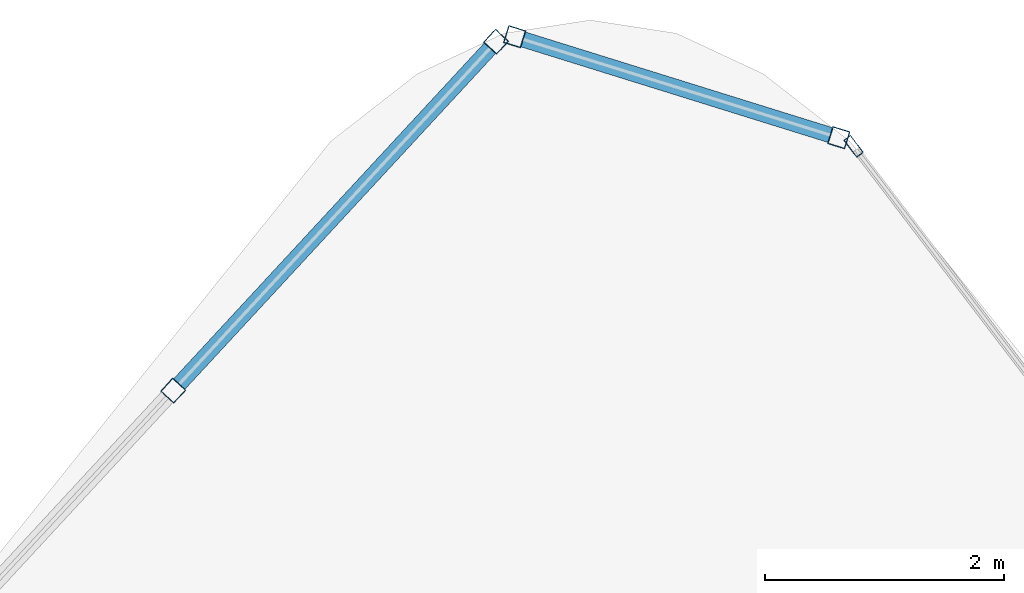
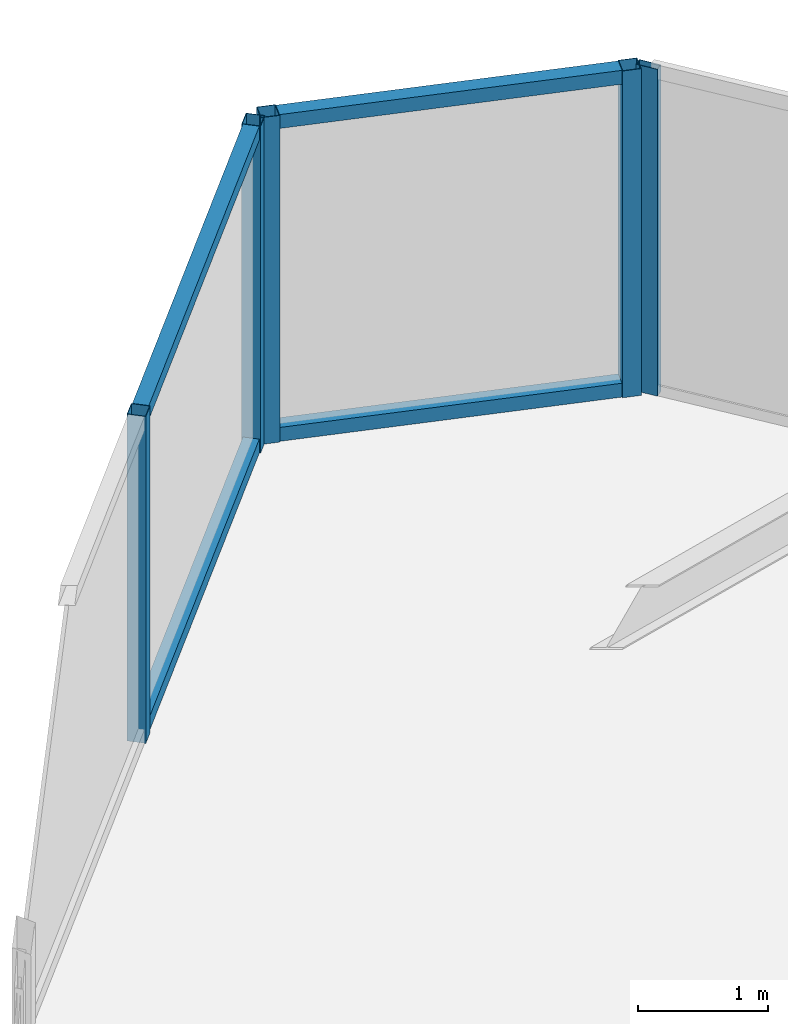
# One storey, part 25 of 35: 9 members, 3 elements without a shape of their own.
"""IFC4 building model written with IfcOpenShell, lengths in metres."""

import ifcopenshell
import ifcopenshell.guid

model = None  # the IFC model being written
_history = None  # IfcOwnerHistory: only IFC2X3 demands one
_inside = {}  # id of a spatial element -> (the spatial element, [elements in it])
_under = {}  # id of a project, library or spatial element -> (it, [spatial elements below it])
_declared = {}  # id of a project -> (the project, [libraries it declares])
_typed = {}  # id of a type object -> (the type object, [elements of that type])
_made_of = {}  # id of a material, layer set ... -> (it, [elements and type objects made of it])


def new_model(schema):
    """Start an empty IFC model of exactly this schema.

    Asked for "IFC4X3", IfcOpenShell would pick the latest addendum, in which some entities
    have other attributes; the version numbers below select the first issue.
    IFC2X3 requires an IfcOwnerHistory on every rooted entity: one is made here for all.
    """
    global model, _history
    if schema == "IFC4X3":
        model = ifcopenshell.file(schema_version=(4, 3, 0, 0))
    else:
        model = ifcopenshell.file(schema=schema)
    _inside.clear()
    _under.clear()
    _declared.clear()
    _typed.clear()
    _made_of.clear()
    _history = None
    if model.schema == "IFC2X3":
        org = make("IfcOrganization", Name="unknown")
        user = make(
            "IfcPersonAndOrganization",
            ThePerson=make("IfcPerson", FamilyName="unknown"),
            TheOrganization=org,
        )
        app = make(
            "IfcApplication",
            ApplicationDeveloper=org,
            Version="unknown",
            ApplicationFullName="unknown",
            ApplicationIdentifier="unknown",
        )
        _history = make(
            "IfcOwnerHistory",
            OwningUser=user,
            OwningApplication=app,
            ChangeAction="ADDED",
            CreationDate=0,
        )
    return model


def make(cls, **values):
    """One entity of the class cls with the attributes given. An attribute that is None is left unset."""
    return model.create_entity(
        cls, **{name: value for name, value in values.items() if value is not None}
    )


def rooted(cls, **values):
    """An entity with a GlobalId (a new one), such as an element, a storey or a relation."""
    return make(cls, GlobalId=ifcopenshell.guid.new(), OwnerHistory=_history, **values)


def si_unit(unit_type, name, prefix=None):
    """IfcSIUnit, for example si_unit("LENGTHUNIT", "METRE", prefix="MILLI")."""
    return make("IfcSIUnit", UnitType=unit_type, Prefix=prefix, Name=name)


def assignment(units):
    """IfcUnitAssignment: the units of a project."""
    return None if units is None else make("IfcUnitAssignment", Units=units)


def point(xyz):
    """IfcCartesianPoint."""
    return None if xyz is None else make("IfcCartesianPoint", Coordinates=xyz)


def direction(xyz):
    """IfcDirection."""
    return None if xyz is None else make("IfcDirection", DirectionRatios=xyz)


def frame(location, z_axis=None, x_axis=None):
    """IfcAxis2Placement3D, a coordinate frame: its origin and axes. An axis left out is left unset."""
    return make(
        "IfcAxis2Placement3D",
        Location=point(location),
        Axis=direction(z_axis),
        RefDirection=direction(x_axis),
    )


def frame_2d(location, x_axis=None):
    """IfcAxis2Placement2D, a coordinate frame in the plane: its origin and x axis."""
    return make(
        "IfcAxis2Placement2D", Location=point(location), RefDirection=direction(x_axis)
    )


def origin():
    """The frame at (0, 0, 0) with its axes left unset."""
    return frame((0.0, 0.0, 0.0))


def origin_2d():
    """The frame at (0, 0) in the plane with its x axis left unset."""
    return frame_2d((0.0, 0.0))


def place(relative_to, where):
    """IfcLocalPlacement: puts the frame where relative to a parent placement (None: the world)."""
    return make(
        "IfcLocalPlacement", PlacementRelTo=relative_to, RelativePlacement=where
    )


def context(
    kind, dimensions, precision=None, world=None, true_north=None, identifier=None
):
    """IfcGeometricRepresentationContext, for example the 3D "Model" context."""
    return make(
        "IfcGeometricRepresentationContext",
        ContextIdentifier=identifier,
        ContextType=kind,
        CoordinateSpaceDimension=dimensions,
        Precision=precision,
        WorldCoordinateSystem=world,
        TrueNorth=true_north,
    )


def subcontext(parent, identifier, kind, view, scale=None):
    """IfcGeometricRepresentationSubContext, for example "Body" below "Model"."""
    return make(
        "IfcGeometricRepresentationSubContext",
        ContextIdentifier=identifier,
        ContextType=kind,
        ParentContext=parent,
        TargetScale=scale,
        TargetView=view,
    )


def project(units=None, contexts=None):
    """IfcProject with its units and contexts."""
    return rooted(
        "IfcProject",
        Name="project",
        RepresentationContexts=contexts,
        UnitsInContext=assignment(units),
    )


def spatial(cls, under=None, at=None, **own):
    """A site, building, storey or space (cls), placed at a placement, below another one or the project."""
    s = rooted(cls, ObjectPlacement=at, **own)
    if under is not None:
        _under.setdefault(under.id(), (under, []))[1].append(s)
    return s


def profile(cls, at=None, kind="AREA", **sizes):
    """A parametric profile (cls). Its sizes go by their IFC names, for example OverallWidth=200.0."""
    return make(cls, ProfileType=kind, Position=at, **sizes)


def hollow_rectangle(**sizes):
    """IfcRectangleHollowProfileDef."""
    return profile("IfcRectangleHollowProfileDef", **sizes)


def extrude(swept, where, along, depth):
    """IfcExtrudedAreaSolid: the profile swept, set in the frame where, extruded along a direction by depth."""
    return make(
        "IfcExtrudedAreaSolid",
        SweptArea=swept,
        Position=where,
        ExtrudedDirection=direction(along),
        Depth=depth,
    )


def shape(context_of_items, identifier, shape_type, items):
    """IfcShapeRepresentation: the items that make up one representation, for example the "Body"."""
    return make(
        "IfcShapeRepresentation",
        ContextOfItems=context_of_items,
        RepresentationIdentifier=identifier,
        RepresentationType=shape_type,
        Items=items,
    )


def material(Name=None, Category=None):
    """IfcMaterial."""
    return make("IfcMaterial", Name=Name, Category=Category)


def layer(
    of_material, thickness, ventilated=None, Name=None, Category=None, Priority=None
):
    """IfcMaterialLayer: one layer of a wall or slab, of a material (None: an air gap)."""
    return make(
        "IfcMaterialLayer",
        Material=of_material,
        LayerThickness=thickness,
        IsVentilated=ventilated,
        Name=Name,
        Category=Category,
        Priority=Priority,
    )


def layer_set(layers, Name=None):
    """IfcMaterialLayerSet."""
    return make("IfcMaterialLayerSet", MaterialLayers=layers, LayerSetName=Name)


def material_profile(
    of_material, cross_section, Name=None, Category=None, Priority=None
):
    """IfcMaterialProfile: a cross section and its material."""
    return make(
        "IfcMaterialProfile",
        Name=Name,
        Material=of_material,
        Profile=cross_section,
        Priority=Priority,
        Category=Category,
    )


def profile_set(profiles, Name=None, composite=None):
    """IfcMaterialProfileSet."""
    return make(
        "IfcMaterialProfileSet",
        Name=Name,
        MaterialProfiles=profiles,
        CompositeProfile=composite,
    )


def made_of(thing, what):
    """Note that an element or type object is made of a material, layer set ...; save() writes the relation."""
    if what is not None:
        _made_of.setdefault(what.id(), (what, []))[1].append(thing)
    return thing


def type_object(cls, material=None, **own):
    """A type object (cls), such as IfcWallType, which elements share."""
    return made_of(rooted(cls, **own), material)


def element(
    cls,
    number,
    at=None,
    inside=None,
    cuts=None,
    type_object=None,
    material=None,
    context=None,
    identifier="Body",
    shape_type=None,
    held_by="IfcProductDefinitionShape",
    body=None,
    shapes=None,
    **own,
):
    """One element of the class cls, such as IfcWall. Its Tag is "e" and its number.

    at: its placement. inside: the storey or other place that contains it. cuts: it is an
    opening in that element (IfcRelVoidsElement). A single representation is given by context,
    identifier, shape_type and body (its items); several are given by shapes. held_by: the class
    of the entity that holds the representations. save() writes the other relations.
    """
    e = rooted(cls, Tag="e%d" % number, ObjectPlacement=at, **own)
    if body is not None:
        shapes = [shape(context, identifier, shape_type, body)]
    if shapes is not None:
        e.Representation = make(held_by, Representations=shapes)
    if inside is not None:
        _inside.setdefault(inside.id(), (inside, []))[1].append(e)
    if cuts is not None:
        rooted(
            "IfcRelVoidsElement", RelatingBuildingElement=cuts, RelatedOpeningElement=e
        )
    if type_object is not None:
        _typed.setdefault(type_object.id(), (type_object, []))[1].append(e)
    return made_of(e, material)


def aggregate(whole, parts):
    """IfcRelAggregates: a whole, such as a stair, and the parts it consists of."""
    return rooted("IfcRelAggregates", RelatingObject=whole, RelatedObjects=parts)


def save(model, path):
    """Write the relations noted so far, then the file.

    IfcRelAggregates (storeys below a building ...), IfcRelContainedInSpatialStructure (elements
    in a storey), IfcRelDefinesByType, IfcRelAssociatesMaterial and IfcRelDeclares: one each for
    every whole, place, type object, material and project.
    """
    for whole, parts in _under.values():
        aggregate(whole, parts)
    for where, things in _inside.values():
        rooted(
            "IfcRelContainedInSpatialStructure",
            RelatedElements=things,
            RelatingStructure=where,
        )
    for kind, things in _typed.values():
        rooted("IfcRelDefinesByType", RelatedObjects=things, RelatingType=kind)
    for what, things in _made_of.values():
        rooted("IfcRelAssociatesMaterial", RelatedObjects=things, RelatingMaterial=what)
    for by, libraries in _declared.values():
        rooted("IfcRelDeclares", RelatingContext=by, RelatedDefinitions=libraries)
    model.write(path)


model = new_model("IFC4")

# Units and contexts
model_context = context("Model", 3, precision=1e-05, world=origin(), true_north=direction((0.0, 1.0)))
body_context = subcontext(model_context, "Body", "Model", "MODEL_VIEW")
ifc_project = project(units=[si_unit("LENGTHUNIT", "METRE"), si_unit("AREAUNIT", "SQUARE_METRE"), si_unit("VOLUMEUNIT", "CUBIC_METRE"), si_unit("PLANEANGLEUNIT", "RADIAN"), si_unit("MASSUNIT", "GRAM", prefix="KILO")], contexts=[model_context])

# Site, building, storey
site_placement = place(None, origin())
site = spatial("IfcSite", under=ifc_project, at=site_placement, CompositionType="ELEMENT")
building_placement = place(site_placement, origin())
building = spatial("IfcBuilding", under=site, at=building_placement, Name="Orvanel Arch Residences", CompositionType="ELEMENT")
storey_placement = place(building_placement, frame((0.0, 0.0, 40.10009765625)))
storey = spatial("IfcBuildingStorey", under=building, at=storey_placement, Name="L10", CompositionType="ELEMENT", Elevation=40.10009765625)

# Curtain wall, members
ifc_material = material(Name="Bronze-anodised aluminium AA6063-T6", Category="aluminium")
ifc_layer_1 = layer(ifc_material, 0.18994140625)
ifc_layer_set_1 = layer_set([ifc_layer_1], Name="Bronze-anodised aluminium AA6063-T6")
curtain_wall_type_1 = type_object("IfcCurtainWallType", Name="CW5-CRN-SYS", PredefinedType="NOTDEFINED", material=ifc_layer_set_1)
curtain_wall_1_placement = place(storey_placement, origin())
curtain_wall_1 = element("IfcCurtainWall", 1, at=curtain_wall_1_placement, inside=storey, type_object=curtain_wall_type_1, Name="L10 CW5-CRN-SYS Unitised Curtain Wall", PredefinedType="NOTDEFINED")
ifc_material_profile_1 = material_profile(ifc_material, hollow_rectangle(XDim=0.14990234375, YDim=0.14990234375, WallThickness=0.0048828125, at=origin_2d()), Name="ALU150x150x5")
ifc_profile_set_1 = profile_set([ifc_material_profile_1], Name="Bronze-anodised aluminium AA6063-T6")
member_type_1 = type_object("IfcMemberType", Name="MUL-150x150", PredefinedType="MULLION", material=ifc_profile_set_1)
member_1_placement = place(storey_placement, frame((35.081298828125, 51.486328125, 0.0), z_axis=(0.0, 0.0, 1.0), x_axis=(-0.297323751443, -0.954776720929, 0.0)))
member_1 = element("IfcMember", 2, at=member_1_placement, type_object=member_type_1, Name="CW-S5 mullion 1", PredefinedType="MULLION", context=body_context, shape_type="SweptSolid", body=[
    extrude(hollow_rectangle(XDim=0.14990234375, YDim=0.14990234375, WallThickness=0.0048828125, at=origin_2d()), origin(), (0.0, 0.0, 1.0), 3.059814453125),
])
member_2_placement = place(storey_placement, frame((32.36669921875, 52.331787109375, 0.0), z_axis=(0.0, 0.0, 1.0), x_axis=(-0.297323751443, -0.954776720929, 0.0)))
member_2 = element("IfcMember", 3, at=member_2_placement, type_object=member_type_1, Name="CW-S5 mullion 2", PredefinedType="MULLION", context=body_context, shape_type="SweptSolid", body=[
    extrude(hollow_rectangle(XDim=0.14990234375, YDim=0.14990234375, WallThickness=0.0048828125, at=origin_2d()), origin(), (0.0, 0.0, 1.0), 3.059814453125),
])

curtain_wall_2_placement = place(storey_placement, origin())
curtain_wall_2 = element("IfcCurtainWall", 4, at=curtain_wall_2_placement, inside=storey, type_object=curtain_wall_type_1, Name="L10 CW5-CRN-SYS Unitised Curtain Wall", PredefinedType="NOTDEFINED")
member_3_placement = place(storey_placement, frame((32.211181640625, 52.2900390625, 0.0), z_axis=(0.0, 0.0, 1.0), x_axis=(0.734004180621, -0.679144949794, 0.0)))
member_3 = element("IfcMember", 5, at=member_3_placement, type_object=member_type_1, Name="CW-S5 mullion 1", PredefinedType="MULLION", context=body_context, shape_type="SweptSolid", body=[
    extrude(hollow_rectangle(XDim=0.14990234375, YDim=0.14990234375, WallThickness=0.0048828125, at=origin_2d()), origin(), (0.0, 0.0, 1.0), 3.059814453125),
])
member_4_placement = place(storey_placement, frame((29.507568359375, 49.367919921875, 0.0), z_axis=(0.0, 0.0, 1.0), x_axis=(0.734004180621, -0.679144949794, 0.0)))
member_4 = element("IfcMember", 6, at=member_4_placement, type_object=member_type_1, Name="CW-S5 mullion 2", PredefinedType="MULLION", context=body_context, shape_type="SweptSolid", body=[
    extrude(hollow_rectangle(XDim=0.14990234375, YDim=0.14990234375, WallThickness=0.0048828125, at=origin_2d()), origin(), (0.0, 0.0, 1.0), 3.059814453125),
])

# Curtain wall, member
ifc_layer_2 = layer(ifc_material, 0.179931640625)
ifc_layer_set_2 = layer_set([ifc_layer_2], Name="Bronze-anodised aluminium AA6063-T6")
curtain_wall_type_2 = type_object("IfcCurtainWallType", Name="CW2-LOW-SYS", PredefinedType="NOTDEFINED", material=ifc_layer_set_2)
curtain_wall_3_placement = place(storey_placement, origin())
curtain_wall_3 = element("IfcCurtainWall", 7, at=curtain_wall_3_placement, inside=storey, type_object=curtain_wall_type_2, Name="L10 CW2-LOW-SYS Unitised Curtain Wall", PredefinedType="NOTDEFINED")
ifc_material_profile_2 = material_profile(ifc_material, hollow_rectangle(XDim=0.070068359375, YDim=0.179931640625, WallThickness=0.00439453125, at=origin_2d()), Name="ALU180x70x4.5")
ifc_profile_set_2 = profile_set([ifc_material_profile_2], Name="Bronze-anodised aluminium AA6063-T6")
member_type_2 = type_object("IfcMemberType", Name="MUL-180x70", PredefinedType="MULLION", material=ifc_profile_set_2)
member_5_placement = place(storey_placement, frame((35.205322265625, 51.4140625, 0.0), z_axis=(0.0, 0.0, 1.0), x_axis=(-0.795451769988, -0.606016898793, 0.0)))
member_5 = element("IfcMember", 8, at=member_5_placement, type_object=member_type_2, Name="CW-S2 mullion 4", PredefinedType="MULLION", context=body_context, shape_type="SweptSolid", body=[
    extrude(hollow_rectangle(XDim=0.070068359375, YDim=0.179931640625, WallThickness=0.00439453125, at=origin_2d()), origin(), (0.0, 0.0, 1.0), 3.059814453125),
])
aggregate(curtain_wall_3, [member_5])

# Member
ifc_material_profile_3 = material_profile(ifc_material, hollow_rectangle(XDim=0.1298828125, YDim=0.1298828125, WallThickness=0.00439453125, at=origin_2d()), Name="ALU130x130x4.5")
ifc_profile_set_3 = profile_set([ifc_material_profile_3], Name="Bronze-anodised aluminium AA6063-T6")
member_type_3 = type_object("IfcMemberType", Name="TRN-130x130", PredefinedType="USERDEFINED", material=ifc_profile_set_3)
member_6_placement = place(storey_placement, frame((35.009765625, 51.508544921875, 0.06494140625), z_axis=(-0.954777891398, 0.297319992764, 0.0), x_axis=(-0.297319992764, -0.954777891398, 0.0)))
member_6 = element("IfcMember", 9, at=member_6_placement, type_object=member_type_3, Name="CW-S5 transom 1.1", ObjectType="TRANSOM", PredefinedType="USERDEFINED", context=body_context, shape_type="SweptSolid", body=[
    extrude(hollow_rectangle(XDim=0.1298828125, YDim=0.1298828125, WallThickness=0.00439453125, at=origin_2d()), origin(), (0.0, 0.0, 1.0), 2.693359375),
])

member_7_placement = place(storey_placement, frame((35.009765625, 51.508544921875, 2.994873046875), z_axis=(-0.954777891398, 0.297319992764, 0.0), x_axis=(-0.297319992764, -0.954777891398, 0.0)))
member_7 = element("IfcMember", 10, at=member_7_placement, type_object=member_type_3, Name="CW-S5 transom 1.2", ObjectType="TRANSOM", PredefinedType="USERDEFINED", context=body_context, shape_type="SweptSolid", body=[
    extrude(hollow_rectangle(XDim=0.1298828125, YDim=0.1298828125, WallThickness=0.00439453125, at=origin_2d()), origin(), (0.0, 0.0, 1.0), 2.693359375),
])

aggregate(curtain_wall_1, [member_1, member_2, member_6, member_7])

member_8_placement = place(storey_placement, frame((32.16015625, 52.23486328125, 0.06494140625), z_axis=(-0.679171620665, -0.733979502223, 0.0), x_axis=(0.733979502223, -0.679171620665, 0.0)))
member_8 = element("IfcMember", 11, at=member_8_placement, type_object=member_type_3, Name="CW-S5 transom 1.1", ObjectType="TRANSOM", PredefinedType="USERDEFINED", context=body_context, shape_type="SweptSolid", body=[
    extrude(hollow_rectangle(XDim=0.1298828125, YDim=0.1298828125, WallThickness=0.00439453125, at=origin_2d()), origin(), (0.0, 0.0, 1.0), 3.830810546875),
])

member_9_placement = place(storey_placement, frame((32.16015625, 52.23486328125, 2.994873046875), z_axis=(-0.679171620665, -0.733979502223, 0.0), x_axis=(0.733979502223, -0.679171620665, 0.0)))
member_9 = element("IfcMember", 12, at=member_9_placement, type_object=member_type_3, Name="CW-S5 transom 1.2", ObjectType="TRANSOM", PredefinedType="USERDEFINED", context=body_context, shape_type="SweptSolid", body=[
    extrude(hollow_rectangle(XDim=0.1298828125, YDim=0.1298828125, WallThickness=0.00439453125, at=origin_2d()), origin(), (0.0, 0.0, 1.0), 3.830810546875),
])

aggregate(curtain_wall_2, [member_3, member_4, member_8, member_9])

save(model, "model.ifc")
